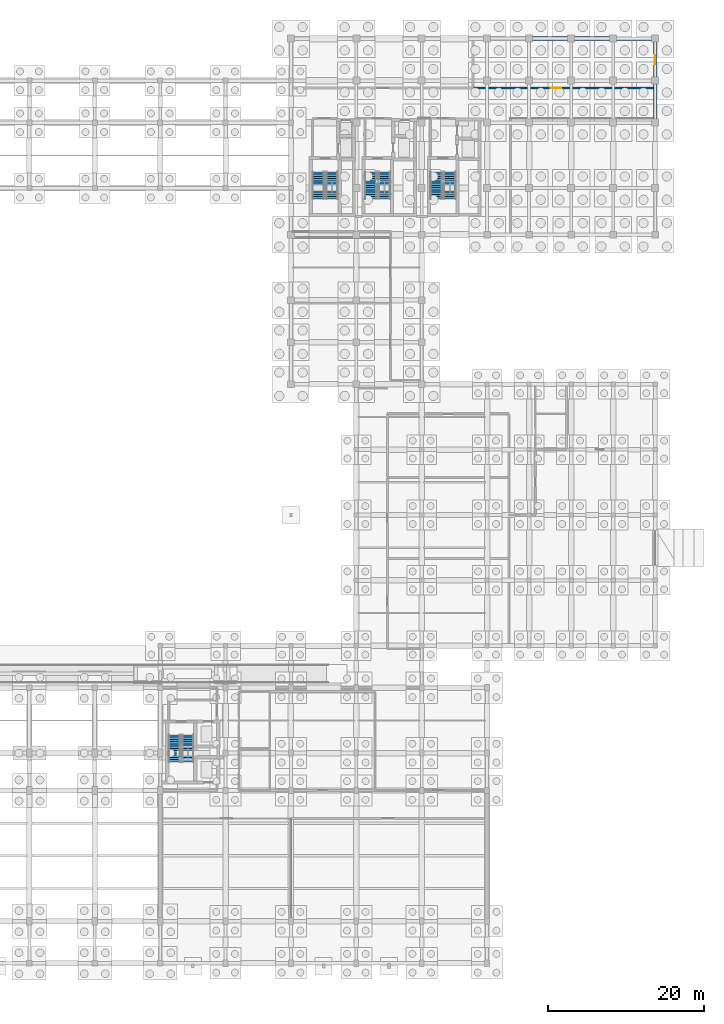
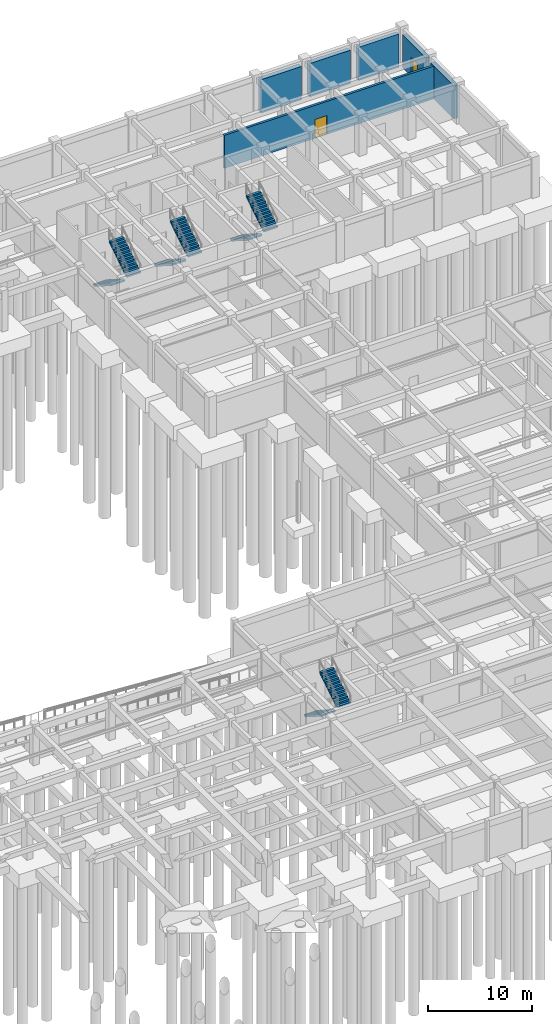
# One storey, part 42 of 49: 8 stair flights, 6 walls, 2 doors, 2 openings, 4 elements without a shape of their own.
"""IFC4 building model written with IfcOpenShell, lengths in metres."""

from ifc_helpers import new_model, si_unit, direction, frame, frame_2d, origin, place, context, subcontext, project, spatial, polyline, rectangle, outline, extrude, material, layer, layer_set, type_object, element, fill, aggregate, save


model = new_model("IFC4")

# Units and contexts
model_context = context("Model", 3, precision=1e-05, world=origin(), true_north=direction((0.0, 1.0)))
body_context = subcontext(model_context, "Body", "Model", "MODEL_VIEW")
ifc_project = project(units=[si_unit("LENGTHUNIT", "METRE"), si_unit("AREAUNIT", "SQUARE_METRE"), si_unit("VOLUMEUNIT", "CUBIC_METRE"), si_unit("PLANEANGLEUNIT", "RADIAN"), si_unit("MASSUNIT", "GRAM", prefix="KILO")], contexts=[model_context])

# Site, building, storey
site_placement = place(None, origin())
site = spatial("IfcSite", under=ifc_project, at=site_placement, CompositionType="ELEMENT")
building_placement = place(site_placement, origin())
building = spatial("IfcBuilding", under=site, at=building_placement, Name="Krzemoval Escarpment Law Courts", CompositionType="ELEMENT")
storey_placement = place(building_placement, frame((0.0, 0.0, -4.800048828125)))
storey = spatial("IfcBuildingStorey", under=building, at=storey_placement, Name="B1", CompositionType="ELEMENT", Elevation=-4.800048828125)

# Wall, opening, door
ifc_material_1 = material(Name="Acoustic Double-Stud Gypsum and Mineral Wool Wall", Category="gypsum")
ifc_layer_1 = layer(ifc_material_1, 0.260009765625)
ifc_layer_set_1 = layer_set([ifc_layer_1], Name="Acoustic Double-Stud Gypsum and Mineral Wool Wall")
wall_type_1 = type_object("IfcWallType", Name="WL-PRT-260", PredefinedType="PARTITIONING", material=ifc_layer_set_1)
wall_1_placement = place(storey_placement, frame((149.39990234375, 112.449951171875, 0.0), z_axis=(0.0, 0.0, 1.0), x_axis=(1.0, 0.0, 0.0)))
wall_1 = element("IfcWall", 1, at=wall_1_placement, inside=storey, type_object=wall_type_1, Name="Interior Partition PW-B1-0049", PredefinedType="PARTITIONING", context=body_context, shape_type="SweptSolid", body=[
    extrude(rectangle(XDim=23.173095703125, YDim=0.260009765625, at=frame_2d((11.58642578125, 0.0))), origin(), (0.0, 0.0, 1.0), 3.85009765625),
])
opening_1_placement = place(wall_1_placement, frame((10.010986328125, 0.0, 0.0)))
opening_1 = element("IfcOpeningElement", 2, at=opening_1_placement, cuts=wall_1, Name="Opening D-B1-0033", PredefinedType="OPENING", context=body_context, shape_type="SweptSolid", body=[
    extrude(rectangle(XDim=1.35009765625, YDim=2.199951171875, at=frame_2d((0.675048828125, 1.10009765625))), frame((0.0, 0.145, 0.0), z_axis=(0.0, -1.0, 0.0), x_axis=(1.0, 0.0, 0.0)), (0.0, 0.0, 1.0), 0.29001),
])
ifc_material_2 = material(Name="Engineered Solid-Core Oak Acoustic Timber", Category="wood")
door_type_1 = type_object("IfcDoorType", Name="DR-INT-1350x2200", OperationType="SINGLE_SWING_LEFT", PredefinedType="DOOR", material=ifc_material_2)
door_1_placement = place(opening_1_placement, origin())
door_1 = element("IfcDoor", 3, at=door_1_placement, inside=storey, type_object=door_type_1, Name="Room Door D-B1-0033", OperationType="SINGLE_SWING_LEFT", OverallHeight=2.199951171875, OverallWidth=1.35009765625, PredefinedType="DOOR", context=body_context, shape_type="SweptSolid", body=[
    extrude(rectangle(XDim=1.35009765625, YDim=2.199951171875, at=frame_2d((0.675048828125, 1.10009765625))), frame((0.0, 0.02490234375, 0.0), z_axis=(0.0, -1.0, 0.0), x_axis=(1.0, 0.0, 0.0)), (0.0, 0.0, 1.0), 0.050048828125),
])
fill(opening_1, door_1)

# Wall
ifc_material_3 = material(Name="Concrete C35/45", Category="concrete")
ifc_layer_2 = layer(ifc_material_3, 0.449951171875)
ifc_layer_set_2 = layer_set([ifc_layer_2], Name="Concrete C35/45")
wall_type_2 = type_object("IfcWallType", Name="WL-RET-450", PredefinedType="USERDEFINED", material=ifc_layer_set_2)
wall_2_placement = place(storey_placement, frame((167.85009765625, 118.800048828125, 0.0), z_axis=(0.0, 0.0, 1.0), x_axis=(1.0, 0.0, 0.0)))
element("IfcWall", 4, at=wall_2_placement, inside=storey, type_object=wall_type_2, Name="Exterior Wall EW-B1-0032", ObjectType="RETAININGWALL", PredefinedType="USERDEFINED", context=body_context, shape_type="SweptSolid", body=[
    extrude(rectangle(XDim=4.5, YDim=0.449951171875, at=frame_2d((2.25, 0.0))), origin(), (0.0, 0.0, 1.0), 3.900146484375),
])

# Wall, opening, door
wall_3_placement = place(storey_placement, frame((172.800048828125, 118.35009765625, 0.0), z_axis=(0.0, 0.0, 1.0), x_axis=(0.0, -1.0, 0.0)))
wall_3 = element("IfcWall", 5, at=wall_3_placement, inside=storey, type_object=wall_type_2, Name="Exterior Wall EW-B1-0033", ObjectType="RETAININGWALL", PredefinedType="USERDEFINED", context=body_context, shape_type="SweptSolid", body=[
    extrude(rectangle(XDim=4.5, YDim=0.449951171875, at=frame_2d((2.25, 0.0))), origin(), (0.0, 0.0, 1.0), 3.85009765625),
])
opening_2_placement = place(wall_3_placement, frame((1.64990234375, 0.0, 0.0)))
opening_2 = element("IfcOpeningElement", 6, at=opening_2_placement, cuts=wall_3, Name="Opening ED-B1-01", PredefinedType="OPENING", context=body_context, shape_type="SweptSolid", body=[
    extrude(rectangle(XDim=1.199951171875, YDim=2.199951171875, at=frame_2d((0.60009765625, 1.10009765625))), frame((0.0, 0.23998, 0.0), z_axis=(0.0, -1.0, 0.0), x_axis=(1.0, 0.0, 0.0)), (0.0, 0.0, 1.0), 0.47995),
])
ifc_material_4 = material(Name="Galvanised Steel S355", Category="steel")
door_type_2 = type_object("IfcDoorType", Name="DR-EXT-1200x2200", OperationType="SINGLE_SWING_LEFT", PredefinedType="DOOR", material=ifc_material_4)
door_2_placement = place(opening_2_placement, origin())
door_2 = element("IfcDoor", 7, at=door_2_placement, inside=storey, type_object=door_type_2, Name="Final Exit Discharge Door ED-B1-01", OperationType="SINGLE_SWING_LEFT", OverallHeight=2.199951171875, OverallWidth=1.199951171875, PredefinedType="DOOR", context=body_context, shape_type="SweptSolid", body=[
    extrude(rectangle(XDim=1.199951171875, YDim=2.199951171875, at=frame_2d((0.60009765625, 1.10009765625))), frame((0.0, 0.02490234375, 0.0), z_axis=(0.0, -1.0, 0.0), x_axis=(1.0, 0.0, 0.0)), (0.0, 0.0, 1.0), 0.050048828125),
])
fill(opening_2, door_2)

# Walls
wall_4_placement = place(storey_placement, frame((172.800048828125, 112.949951171875, 0.0), z_axis=(0.0, 0.0, 1.0), x_axis=(0.0, -1.0, 0.0)))
element("IfcWall", 8, at=wall_4_placement, inside=storey, type_object=wall_type_2, Name="Exterior Wall EW-B1-0034", ObjectType="RETAININGWALL", PredefinedType="USERDEFINED", context=body_context, shape_type="SweptSolid", body=[
    extrude(rectangle(XDim=4.5, YDim=0.449951171875, at=frame_2d((2.25, 0.0))), origin(), (0.0, 0.0, 1.0), 3.85009765625),
])
ifc_material_5 = material(Name="Concrete C35/45", Category="concrete")
ifc_layer_3 = layer(ifc_material_5, 0.5)
ifc_layer_set_3 = layer_set([ifc_layer_3], Name="Concrete C35/45")
wall_type_3 = type_object("IfcWallType", Name="WL-RET-500", PredefinedType="USERDEFINED", material=ifc_layer_set_3)
for number, where, z_axis, x_axis, name in (
    (9, (157.050048828125, 118.800048828125, 0.0), (0.0, 0.0, 1.0), (1.0, 0.0, 0.0), "Exterior Wall EW-B1-0030"),
    (10, (162.449951171875, 118.800048828125, 0.0), (0.0, 0.0, 1.0), (1.0, 0.0, 0.0), "Exterior Wall EW-B1-0031"),
):
    element("IfcWall", number, at=place(storey_placement, frame(where, z_axis=z_axis, x_axis=x_axis)), inside=storey, type_object=wall_type_3, Name=name, ObjectType="RETAININGWALL", PredefinedType="USERDEFINED", context=body_context, shape_type="SweptSolid", body=[
        extrude(rectangle(XDim=4.5, YDim=0.5, at=frame_2d((2.25, 0.0))), origin(), (0.0, 0.0, 1.0), 3.900146484375),
    ])

# Stair, stair flights
ifc_material_6 = material(Name="Concrete C40/50", Category="concrete")
stair_type_1 = type_object("IfcStairType", Name="STR-CORE-1500", PredefinedType="HALF_TURN_STAIR", material=ifc_material_6)
stair_1_placement = place(storey_placement, origin())
stair_1 = element("IfcStair", 11, at=stair_1_placement, inside=storey, type_object=stair_type_1, Name="B1 ST6", PredefinedType="HALF_TURN_STAIR")
ifc_material_7 = material(Name="Concrete C40/50", Category="concrete")
stair_flight_type_1 = type_object("IfcStairFlightType", Name="STF-CORE-1500", PredefinedType="STRAIGHT", material=ifc_material_7)
stair_flight_1_placement = place(storey_placement, frame((111.050048828125, 29.35009765625, 0.0), z_axis=(0.0, 0.0, 1.0), x_axis=(0.0, -1.0, 0.0)))
stair_flight_1 = element("IfcStairFlight", 12, at=stair_flight_1_placement, type_object=stair_flight_type_1, Name="ST6 flight 1", NumberOfRisers=13, NumberOfTreads=12, PredefinedType="STRAIGHT", RiserHeight=0.184615385, TreadLength=0.29, context=body_context, shape_type="SweptSolid", body=[
    extrude(outline(polyline([(0.0, 0.0), (0.0, 0.1845703125), (0.2900390625, 0.1845703125), (0.2900390625, 0.369140625), (0.580078125, 0.369140625), (0.580078125, 0.553955078125), (0.8701171875, 0.553955078125), (0.8701171875, 0.738525390625), (1.159912109375, 0.738525390625), (1.159912109375, 0.923095703125), (1.449951171875, 0.923095703125), (1.449951171875, 1.107666015625), (1.739990234375, 1.107666015625), (1.739990234375, 1.292236328125), (2.030029296875, 1.292236328125), (2.030029296875, 1.476806640625), (2.320068359375, 1.476806640625), (2.320068359375, 1.66162109375), (2.610107421875, 1.66162109375), (2.610107421875, 1.84619140625), (2.89990234375, 1.84619140625), (2.89990234375, 2.03076171875), (3.18994140625, 2.03076171875), (3.18994140625, 2.21533203125), (3.47998046875, 2.21533203125), (3.47998046875, 2.39990234375), (3.47998046875, 2.03759765625), (0.279052734375, 0.0), (0.0, 0.0)])), frame((0.0, 0.75, 0.0), z_axis=(0.0, -1.0, 0.0), x_axis=(1.0, 0.0, 0.0)), (0.0, 0.0, 1.0), 1.5),
])
stair_flight_2_placement = place(storey_placement, frame((112.75, 25.8701171875, 2.400146484375), z_axis=(0.0, 0.0, 1.0), x_axis=(0.0, 1.0, 0.0)))
stair_flight_2 = element("IfcStairFlight", 13, at=stair_flight_2_placement, type_object=stair_flight_type_1, Name="ST6 flight 2", NumberOfRisers=13, NumberOfTreads=12, PredefinedType="STRAIGHT", RiserHeight=0.184615385, TreadLength=0.29, context=body_context, shape_type="SweptSolid", body=[
    extrude(outline(polyline([(0.0, 0.0), (0.0, 0.1845703125), (0.2900390625, 0.1845703125), (0.2900390625, 0.369140625), (0.580078125, 0.369140625), (0.580078125, 0.553955078125), (0.8701171875, 0.553955078125), (0.8701171875, 0.738525390625), (1.159912109375, 0.738525390625), (1.159912109375, 0.923095703125), (1.449951171875, 0.923095703125), (1.449951171875, 1.107666015625), (1.739990234375, 1.107666015625), (1.739990234375, 1.292236328125), (2.030029296875, 1.292236328125), (2.030029296875, 1.476806640625), (2.320068359375, 1.476806640625), (2.320068359375, 1.66162109375), (2.610107421875, 1.66162109375), (2.610107421875, 1.84619140625), (2.89990234375, 1.84619140625), (2.89990234375, 2.03076171875), (3.18994140625, 2.03076171875), (3.18994140625, 2.21533203125), (3.47998046875, 2.21533203125), (3.47998046875, 2.39990234375), (3.47998046875, 2.03759765625), (0.279052734375, 0.0), (0.0, 0.0)])), frame((0.0, 0.75, 0.0), z_axis=(0.0, -1.0, 0.0), x_axis=(1.0, 0.0, 0.0)), (0.0, 0.0, 1.0), 1.5),
])
aggregate(stair_1, [stair_flight_1, stair_flight_2])

ifc_material_8 = material(Name="Concrete C40/50", Category="concrete")
stair_type_2 = type_object("IfcStairType", Name="STR-CORE-1550", PredefinedType="HALF_TURN_STAIR", material=ifc_material_8)
stair_2_placement = place(storey_placement, origin())
stair_2 = element("IfcStair", 14, at=stair_2_placement, inside=storey, type_object=stair_type_2, Name="B1 ST1", PredefinedType="HALF_TURN_STAIR")
ifc_material_9 = material(Name="Concrete C40/50", Category="concrete")
stair_flight_type_2 = type_object("IfcStairFlightType", Name="STF-CORE-1550", PredefinedType="STRAIGHT", material=ifc_material_9)
stair_flight_3_placement = place(storey_placement, frame((129.52490234375, 101.699951171875, 0.0), z_axis=(0.0, 0.0, 1.0), x_axis=(0.0, -1.0, 0.0)))
stair_flight_3 = element("IfcStairFlight", 15, at=stair_flight_3_placement, type_object=stair_flight_type_2, Name="ST1 flight 1", NumberOfRisers=13, NumberOfTreads=12, PredefinedType="STRAIGHT", RiserHeight=0.184615385, TreadLength=0.29, context=body_context, shape_type="SweptSolid", body=[
    extrude(outline(polyline([(0.0, 0.0), (0.0, 0.1845703125), (0.2900390625, 0.1845703125), (0.2900390625, 0.369140625), (0.580078125, 0.369140625), (0.580078125, 0.553955078125), (0.8701171875, 0.553955078125), (0.8701171875, 0.738525390625), (1.159912109375, 0.738525390625), (1.159912109375, 0.923095703125), (1.449951171875, 0.923095703125), (1.449951171875, 1.107666015625), (1.739990234375, 1.107666015625), (1.739990234375, 1.292236328125), (2.030029296875, 1.292236328125), (2.030029296875, 1.476806640625), (2.320068359375, 1.476806640625), (2.320068359375, 1.66162109375), (2.610107421875, 1.66162109375), (2.610107421875, 1.84619140625), (2.89990234375, 1.84619140625), (2.89990234375, 2.03076171875), (3.18994140625, 2.03076171875), (3.18994140625, 2.21533203125), (3.47998046875, 2.21533203125), (3.47998046875, 2.39990234375), (3.47998046875, 2.03759765625), (0.279052734375, 0.0), (0.0, 0.0)])), frame((0.0, 0.77490234375, 0.0), z_axis=(0.0, -1.0, 0.0), x_axis=(1.0, 0.0, 0.0)), (0.0, 0.0, 1.0), 1.550048828125),
])
stair_flight_4_placement = place(storey_placement, frame((131.27490234375, 98.219970703125, 2.400146484375), z_axis=(0.0, 0.0, 1.0), x_axis=(0.0, 1.0, 0.0)))
stair_flight_4 = element("IfcStairFlight", 16, at=stair_flight_4_placement, type_object=stair_flight_type_2, Name="ST1 flight 2", NumberOfRisers=13, NumberOfTreads=12, PredefinedType="STRAIGHT", RiserHeight=0.184615385, TreadLength=0.29, context=body_context, shape_type="SweptSolid", body=[
    extrude(outline(polyline([(0.0, 0.0), (0.0, 0.1845703125), (0.2900390625, 0.1845703125), (0.2900390625, 0.369140625), (0.580078125, 0.369140625), (0.580078125, 0.553955078125), (0.8701171875, 0.553955078125), (0.8701171875, 0.738525390625), (1.159912109375, 0.738525390625), (1.159912109375, 0.923095703125), (1.449951171875, 0.923095703125), (1.449951171875, 1.107666015625), (1.739990234375, 1.107666015625), (1.739990234375, 1.292236328125), (2.030029296875, 1.292236328125), (2.030029296875, 1.476806640625), (2.320068359375, 1.476806640625), (2.320068359375, 1.66162109375), (2.610107421875, 1.66162109375), (2.610107421875, 1.84619140625), (2.89990234375, 1.84619140625), (2.89990234375, 2.03076171875), (3.18994140625, 2.03076171875), (3.18994140625, 2.21533203125), (3.47998046875, 2.21533203125), (3.47998046875, 2.39990234375), (3.47998046875, 2.03759765625), (0.279052734375, 0.0), (0.0, 0.0)])), frame((0.0, 0.77490234375, 0.0), z_axis=(0.0, -1.0, 0.0), x_axis=(1.0, 0.0, 0.0)), (0.0, 0.0, 1.0), 1.550048828125),
])
aggregate(stair_2, [stair_flight_3, stair_flight_4])

stair_3_placement = place(storey_placement, origin())
stair_3 = element("IfcStair", 17, at=stair_3_placement, inside=storey, type_object=stair_type_2, Name="B1 ST2", PredefinedType="HALF_TURN_STAIR")
stair_flight_5_placement = place(storey_placement, frame((136.27490234375, 101.699951171875, 0.0), z_axis=(0.0, 0.0, 1.0), x_axis=(0.0, -1.0, 0.0)))
stair_flight_5 = element("IfcStairFlight", 18, at=stair_flight_5_placement, type_object=stair_flight_type_2, Name="ST2 flight 1", NumberOfRisers=13, NumberOfTreads=12, PredefinedType="STRAIGHT", RiserHeight=0.184615385, TreadLength=0.29, context=body_context, shape_type="SweptSolid", body=[
    extrude(outline(polyline([(0.0, 0.0), (0.0, 0.1845703125), (0.2900390625, 0.1845703125), (0.2900390625, 0.369140625), (0.580078125, 0.369140625), (0.580078125, 0.553955078125), (0.8701171875, 0.553955078125), (0.8701171875, 0.738525390625), (1.159912109375, 0.738525390625), (1.159912109375, 0.923095703125), (1.449951171875, 0.923095703125), (1.449951171875, 1.107666015625), (1.739990234375, 1.107666015625), (1.739990234375, 1.292236328125), (2.030029296875, 1.292236328125), (2.030029296875, 1.476806640625), (2.320068359375, 1.476806640625), (2.320068359375, 1.66162109375), (2.610107421875, 1.66162109375), (2.610107421875, 1.84619140625), (2.89990234375, 1.84619140625), (2.89990234375, 2.03076171875), (3.18994140625, 2.03076171875), (3.18994140625, 2.21533203125), (3.47998046875, 2.21533203125), (3.47998046875, 2.39990234375), (3.47998046875, 2.03759765625), (0.279052734375, 0.0), (0.0, 0.0)])), frame((0.0, 0.77490234375, 0.0), z_axis=(0.0, -1.0, 0.0), x_axis=(1.0, 0.0, 0.0)), (0.0, 0.0, 1.0), 1.550048828125),
])
stair_flight_6_placement = place(storey_placement, frame((138.02490234375, 98.219970703125, 2.400146484375), z_axis=(0.0, 0.0, 1.0), x_axis=(0.0, 1.0, 0.0)))
stair_flight_6 = element("IfcStairFlight", 19, at=stair_flight_6_placement, type_object=stair_flight_type_2, Name="ST2 flight 2", NumberOfRisers=13, NumberOfTreads=12, PredefinedType="STRAIGHT", RiserHeight=0.184615385, TreadLength=0.29, context=body_context, shape_type="SweptSolid", body=[
    extrude(outline(polyline([(0.0, 0.0), (0.0, 0.1845703125), (0.2900390625, 0.1845703125), (0.2900390625, 0.369140625), (0.580078125, 0.369140625), (0.580078125, 0.553955078125), (0.8701171875, 0.553955078125), (0.8701171875, 0.738525390625), (1.159912109375, 0.738525390625), (1.159912109375, 0.923095703125), (1.449951171875, 0.923095703125), (1.449951171875, 1.107666015625), (1.739990234375, 1.107666015625), (1.739990234375, 1.292236328125), (2.030029296875, 1.292236328125), (2.030029296875, 1.476806640625), (2.320068359375, 1.476806640625), (2.320068359375, 1.66162109375), (2.610107421875, 1.66162109375), (2.610107421875, 1.84619140625), (2.89990234375, 1.84619140625), (2.89990234375, 2.03076171875), (3.18994140625, 2.03076171875), (3.18994140625, 2.21533203125), (3.47998046875, 2.21533203125), (3.47998046875, 2.39990234375), (3.47998046875, 2.03759765625), (0.279052734375, 0.0), (0.0, 0.0)])), frame((0.0, 0.77490234375, 0.0), z_axis=(0.0, -1.0, 0.0), x_axis=(1.0, 0.0, 0.0)), (0.0, 0.0, 1.0), 1.550048828125),
])
aggregate(stair_3, [stair_flight_5, stair_flight_6])

stair_4_placement = place(storey_placement, origin())
stair_4 = element("IfcStair", 20, at=stair_4_placement, inside=storey, type_object=stair_type_2, Name="B1 ST3", PredefinedType="HALF_TURN_STAIR")
stair_flight_7_placement = place(storey_placement, frame((144.675048828125, 101.699951171875, 0.0), z_axis=(0.0, 0.0, 1.0), x_axis=(0.0, -1.0, 0.0)))
stair_flight_7 = element("IfcStairFlight", 21, at=stair_flight_7_placement, type_object=stair_flight_type_2, Name="ST3 flight 1", NumberOfRisers=13, NumberOfTreads=12, PredefinedType="STRAIGHT", RiserHeight=0.184615385, TreadLength=0.29, context=body_context, shape_type="SweptSolid", body=[
    extrude(outline(polyline([(0.0, 0.0), (0.0, 0.1845703125), (0.2900390625, 0.1845703125), (0.2900390625, 0.369140625), (0.580078125, 0.369140625), (0.580078125, 0.553955078125), (0.8701171875, 0.553955078125), (0.8701171875, 0.738525390625), (1.159912109375, 0.738525390625), (1.159912109375, 0.923095703125), (1.449951171875, 0.923095703125), (1.449951171875, 1.107666015625), (1.739990234375, 1.107666015625), (1.739990234375, 1.292236328125), (2.030029296875, 1.292236328125), (2.030029296875, 1.476806640625), (2.320068359375, 1.476806640625), (2.320068359375, 1.66162109375), (2.610107421875, 1.66162109375), (2.610107421875, 1.84619140625), (2.89990234375, 1.84619140625), (2.89990234375, 2.03076171875), (3.18994140625, 2.03076171875), (3.18994140625, 2.21533203125), (3.47998046875, 2.21533203125), (3.47998046875, 2.39990234375), (3.47998046875, 2.03759765625), (0.279052734375, 0.0), (0.0, 0.0)])), frame((0.0, 0.77490234375, 0.0), z_axis=(0.0, -1.0, 0.0), x_axis=(1.0, 0.0, 0.0)), (0.0, 0.0, 1.0), 1.550048828125),
])
stair_flight_8_placement = place(storey_placement, frame((146.425048828125, 98.219970703125, 2.400146484375), z_axis=(0.0, 0.0, 1.0), x_axis=(0.0, 1.0, 0.0)))
stair_flight_8 = element("IfcStairFlight", 22, at=stair_flight_8_placement, type_object=stair_flight_type_2, Name="ST3 flight 2", NumberOfRisers=13, NumberOfTreads=12, PredefinedType="STRAIGHT", RiserHeight=0.184615385, TreadLength=0.29, context=body_context, shape_type="SweptSolid", body=[
    extrude(outline(polyline([(0.0, 0.0), (0.0, 0.1845703125), (0.2900390625, 0.1845703125), (0.2900390625, 0.369140625), (0.580078125, 0.369140625), (0.580078125, 0.553955078125), (0.8701171875, 0.553955078125), (0.8701171875, 0.738525390625), (1.159912109375, 0.738525390625), (1.159912109375, 0.923095703125), (1.449951171875, 0.923095703125), (1.449951171875, 1.107666015625), (1.739990234375, 1.107666015625), (1.739990234375, 1.292236328125), (2.030029296875, 1.292236328125), (2.030029296875, 1.476806640625), (2.320068359375, 1.476806640625), (2.320068359375, 1.66162109375), (2.610107421875, 1.66162109375), (2.610107421875, 1.84619140625), (2.89990234375, 1.84619140625), (2.89990234375, 2.03076171875), (3.18994140625, 2.03076171875), (3.18994140625, 2.21533203125), (3.47998046875, 2.21533203125), (3.47998046875, 2.39990234375), (3.47998046875, 2.03759765625), (0.279052734375, 0.0), (0.0, 0.0)])), frame((0.0, 0.77490234375, 0.0), z_axis=(0.0, -1.0, 0.0), x_axis=(1.0, 0.0, 0.0)), (0.0, 0.0, 1.0), 1.550048828125),
])
aggregate(stair_4, [stair_flight_7, stair_flight_8])

save(model, "model.ifc")
